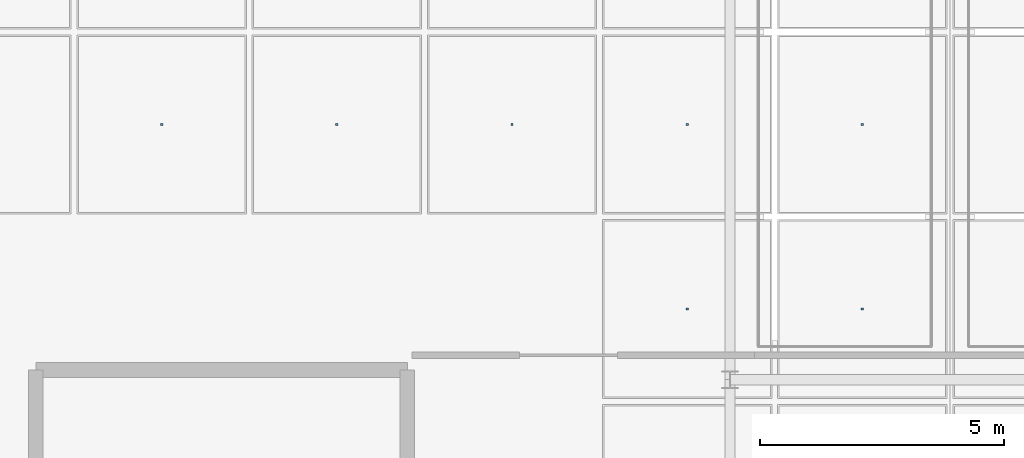
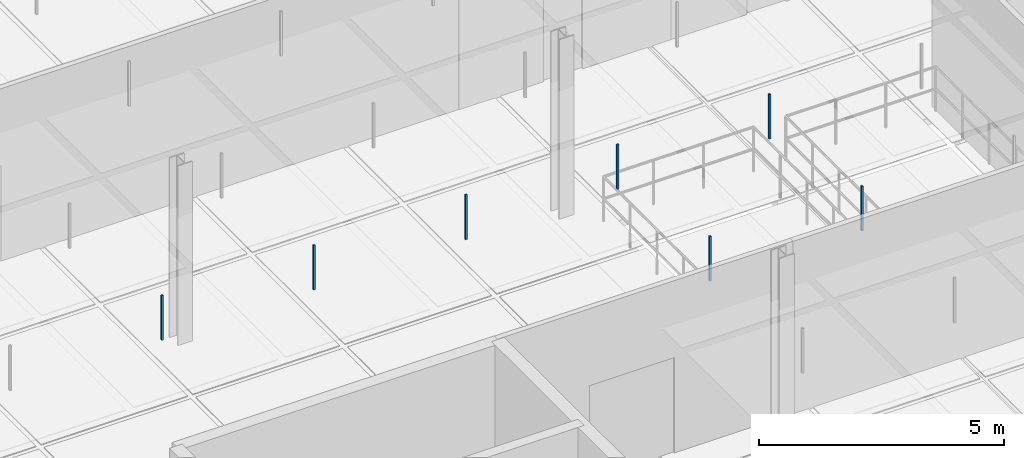
# One storey, part 81 of 130: 7 discrete accessories.
"""IFC4 building model written with IfcOpenShell, lengths in metres."""

from ifc_helpers import new_model, si_unit, direction, frame, origin, origin_2d, place, context, subcontext, project, spatial, rectangle, extrude, material, type_object, element, save


model = new_model("IFC4")

# Units and contexts
model_context = context("Model", 3, precision=1e-05, world=origin(), true_north=direction((0.0, 1.0)))
body_context = subcontext(model_context, "Body", "Model", "MODEL_VIEW")
ifc_project = project(units=[si_unit("LENGTHUNIT", "METRE"), si_unit("AREAUNIT", "SQUARE_METRE"), si_unit("VOLUMEUNIT", "CUBIC_METRE"), si_unit("PLANEANGLEUNIT", "RADIAN"), si_unit("MASSUNIT", "GRAM", prefix="KILO"), si_unit("THERMODYNAMICTEMPERATUREUNIT", "KELVIN"), si_unit("POWERUNIT", "WATT")], contexts=[model_context])

# Site, building, storey
site_placement = place(None, origin())
site = spatial("IfcSite", under=ifc_project, at=site_placement, CompositionType="ELEMENT")
building_placement = place(site_placement, origin())
building = spatial("IfcBuilding", under=site, at=building_placement, Name="Tallowbark Science Centre", CompositionType="ELEMENT")
storey_placement = place(building_placement, frame((0.0, 0.0, 5.39990234375)))
storey = spatial("IfcBuildingStorey", under=building, at=storey_placement, Name="L01", CompositionType="ELEMENT", Elevation=5.39990234375)

# Discrete accessories
ifc_material = material(Name="Galvanised Steel Grade C350L0 (350 MPa)", Category="steel")
discrete_accessory_type = type_object("IfcDiscreteAccessoryType", Name="ACC-CLG-HNG", PredefinedType="BRACKET", material=ifc_material)
for number, where, z_axis, x_axis, name in (
    (1, (64.875, 18.72216796875, 3.20947265625), (0.0, 0.0, 1.0), (1.0, 0.0, 0.0), "Ceiling Hanger Bracket L01-489"),
    (2, (68.458251953125, 18.72216796875, 3.20947265625), (0.0, 0.0, 1.0), (1.0, 0.0, 0.0), "Ceiling Hanger Bracket L01-495"),
    (3, (72.041748046875, 18.72216796875, 3.20947265625), (0.0, 0.0, 1.0), (1.0, 0.0, 0.0), "Ceiling Hanger Bracket L01-501"),
    (4, (75.625, 14.9443359375, 3.20947265625), (0.0, 0.0, 1.0), (1.0, 0.0, 0.0), "Ceiling Hanger Bracket L01-509"),
    (5, (75.625, 18.72216796875, 3.20947265625), (0.0, 0.0, 1.0), (1.0, 0.0, 0.0), "Ceiling Hanger Bracket L01-510"),
    (6, (79.208251953125, 14.9443359375, 3.20947265625), (0.0, 0.0, 1.0), (1.0, 0.0, 0.0), "Ceiling Hanger Bracket L01-518"),
    (7, (79.208251953125, 18.72216796875, 3.20947265625), (0.0, 0.0, 1.0), (1.0, 0.0, 0.0), "Ceiling Hanger Bracket L01-519"),
):
    element("IfcDiscreteAccessory", number, at=place(storey_placement, frame(where, z_axis=z_axis, x_axis=x_axis)), inside=storey, type_object=discrete_accessory_type, Name=name, PredefinedType="BRACKET", context=body_context, shape_type="SweptSolid", body=[
        extrude(rectangle(XDim=0.044921875, YDim=0.044921875, at=origin_2d()), origin(), (0.0, 0.0, 1.0), 1.113525390625),
    ])

save(model, "model.ifc")
